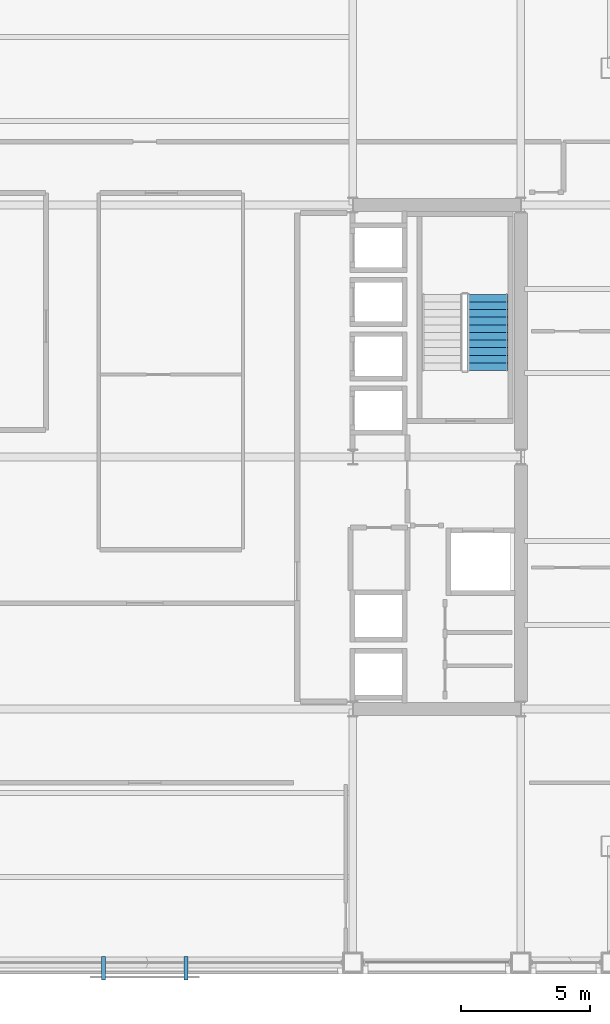
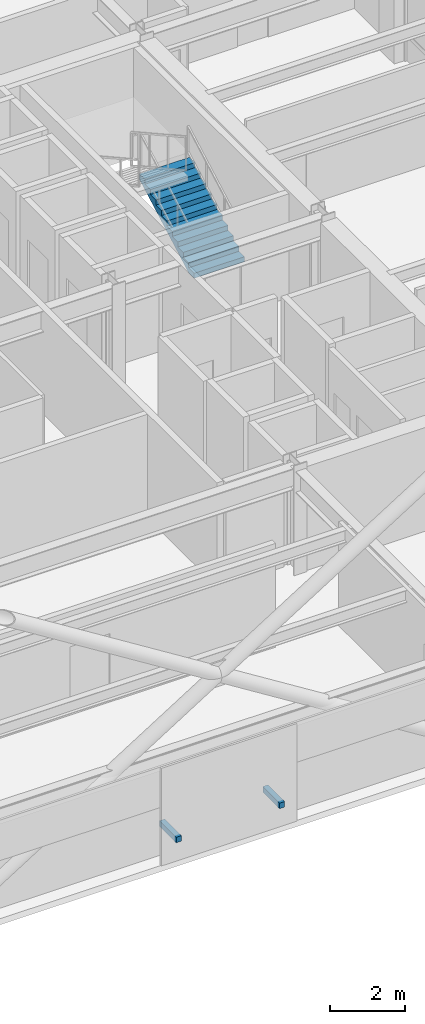
# One storey, part 32 of 35: 2 discrete accessories, 1 stair flight, 1 element without a shape of its own.
"""IFC4 building model written with IfcOpenShell, lengths in metres."""

import ifcopenshell
import ifcopenshell.guid

model = None  # the IFC model being written
_history = None  # IfcOwnerHistory: only IFC2X3 demands one
_inside = {}  # id of a spatial element -> (the spatial element, [elements in it])
_under = {}  # id of a project, library or spatial element -> (it, [spatial elements below it])
_declared = {}  # id of a project -> (the project, [libraries it declares])
_typed = {}  # id of a type object -> (the type object, [elements of that type])
_made_of = {}  # id of a material, layer set ... -> (it, [elements and type objects made of it])


def new_model(schema):
    """Start an empty IFC model of exactly this schema.

    Asked for "IFC4X3", IfcOpenShell would pick the latest addendum, in which some entities
    have other attributes; the version numbers below select the first issue.
    IFC2X3 requires an IfcOwnerHistory on every rooted entity: one is made here for all.
    """
    global model, _history
    if schema == "IFC4X3":
        model = ifcopenshell.file(schema_version=(4, 3, 0, 0))
    else:
        model = ifcopenshell.file(schema=schema)
    _inside.clear()
    _under.clear()
    _declared.clear()
    _typed.clear()
    _made_of.clear()
    _history = None
    if model.schema == "IFC2X3":
        org = make("IfcOrganization", Name="unknown")
        user = make(
            "IfcPersonAndOrganization",
            ThePerson=make("IfcPerson", FamilyName="unknown"),
            TheOrganization=org,
        )
        app = make(
            "IfcApplication",
            ApplicationDeveloper=org,
            Version="unknown",
            ApplicationFullName="unknown",
            ApplicationIdentifier="unknown",
        )
        _history = make(
            "IfcOwnerHistory",
            OwningUser=user,
            OwningApplication=app,
            ChangeAction="ADDED",
            CreationDate=0,
        )
    return model


def make(cls, **values):
    """One entity of the class cls with the attributes given. An attribute that is None is left unset."""
    return model.create_entity(
        cls, **{name: value for name, value in values.items() if value is not None}
    )


def rooted(cls, **values):
    """An entity with a GlobalId (a new one), such as an element, a storey or a relation."""
    return make(cls, GlobalId=ifcopenshell.guid.new(), OwnerHistory=_history, **values)


def si_unit(unit_type, name, prefix=None):
    """IfcSIUnit, for example si_unit("LENGTHUNIT", "METRE", prefix="MILLI")."""
    return make("IfcSIUnit", UnitType=unit_type, Prefix=prefix, Name=name)


def assignment(units):
    """IfcUnitAssignment: the units of a project."""
    return None if units is None else make("IfcUnitAssignment", Units=units)


def point(xyz):
    """IfcCartesianPoint."""
    return None if xyz is None else make("IfcCartesianPoint", Coordinates=xyz)


def direction(xyz):
    """IfcDirection."""
    return None if xyz is None else make("IfcDirection", DirectionRatios=xyz)


def frame(location, z_axis=None, x_axis=None):
    """IfcAxis2Placement3D, a coordinate frame: its origin and axes. An axis left out is left unset."""
    return make(
        "IfcAxis2Placement3D",
        Location=point(location),
        Axis=direction(z_axis),
        RefDirection=direction(x_axis),
    )


def frame_2d(location, x_axis=None):
    """IfcAxis2Placement2D, a coordinate frame in the plane: its origin and x axis."""
    return make(
        "IfcAxis2Placement2D", Location=point(location), RefDirection=direction(x_axis)
    )


def origin():
    """The frame at (0, 0, 0) with its axes left unset."""
    return frame((0.0, 0.0, 0.0))


def origin_2d():
    """The frame at (0, 0) in the plane with its x axis left unset."""
    return frame_2d((0.0, 0.0))


def place(relative_to, where):
    """IfcLocalPlacement: puts the frame where relative to a parent placement (None: the world)."""
    return make(
        "IfcLocalPlacement", PlacementRelTo=relative_to, RelativePlacement=where
    )


def context(
    kind, dimensions, precision=None, world=None, true_north=None, identifier=None
):
    """IfcGeometricRepresentationContext, for example the 3D "Model" context."""
    return make(
        "IfcGeometricRepresentationContext",
        ContextIdentifier=identifier,
        ContextType=kind,
        CoordinateSpaceDimension=dimensions,
        Precision=precision,
        WorldCoordinateSystem=world,
        TrueNorth=true_north,
    )


def subcontext(parent, identifier, kind, view, scale=None):
    """IfcGeometricRepresentationSubContext, for example "Body" below "Model"."""
    return make(
        "IfcGeometricRepresentationSubContext",
        ContextIdentifier=identifier,
        ContextType=kind,
        ParentContext=parent,
        TargetScale=scale,
        TargetView=view,
    )


def project(units=None, contexts=None):
    """IfcProject with its units and contexts."""
    return rooted(
        "IfcProject",
        Name="project",
        RepresentationContexts=contexts,
        UnitsInContext=assignment(units),
    )


def spatial(cls, under=None, at=None, **own):
    """A site, building, storey or space (cls), placed at a placement, below another one or the project."""
    s = rooted(cls, ObjectPlacement=at, **own)
    if under is not None:
        _under.setdefault(under.id(), (under, []))[1].append(s)
    return s


def polyline(points):
    """IfcPolyline through the points."""
    return make("IfcPolyline", Points=[point(p) for p in points])


def profile(cls, at=None, kind="AREA", **sizes):
    """A parametric profile (cls). Its sizes go by their IFC names, for example OverallWidth=200.0."""
    return make(cls, ProfileType=kind, Position=at, **sizes)


def rectangle(**sizes):
    """IfcRectangleProfileDef."""
    return profile("IfcRectangleProfileDef", **sizes)


def outline(outer, holes=None, kind="AREA"):
    """IfcArbitraryClosedProfileDef: a profile drawn as a closed curve; with holes, ...WithVoids."""
    if holes is None:
        return make("IfcArbitraryClosedProfileDef", ProfileType=kind, OuterCurve=outer)
    return make(
        "IfcArbitraryProfileDefWithVoids",
        ProfileType=kind,
        OuterCurve=outer,
        InnerCurves=holes,
    )


def extrude(swept, where, along, depth):
    """IfcExtrudedAreaSolid: the profile swept, set in the frame where, extruded along a direction by depth."""
    return make(
        "IfcExtrudedAreaSolid",
        SweptArea=swept,
        Position=where,
        ExtrudedDirection=direction(along),
        Depth=depth,
    )


def shape(context_of_items, identifier, shape_type, items):
    """IfcShapeRepresentation: the items that make up one representation, for example the "Body"."""
    return make(
        "IfcShapeRepresentation",
        ContextOfItems=context_of_items,
        RepresentationIdentifier=identifier,
        RepresentationType=shape_type,
        Items=items,
    )


def material(Name=None, Category=None):
    """IfcMaterial."""
    return make("IfcMaterial", Name=Name, Category=Category)


def made_of(thing, what):
    """Note that an element or type object is made of a material, layer set ...; save() writes the relation."""
    if what is not None:
        _made_of.setdefault(what.id(), (what, []))[1].append(thing)
    return thing


def type_object(cls, material=None, **own):
    """A type object (cls), such as IfcWallType, which elements share."""
    return made_of(rooted(cls, **own), material)


def element(
    cls,
    number,
    at=None,
    inside=None,
    cuts=None,
    type_object=None,
    material=None,
    context=None,
    identifier="Body",
    shape_type=None,
    held_by="IfcProductDefinitionShape",
    body=None,
    shapes=None,
    **own,
):
    """One element of the class cls, such as IfcWall. Its Tag is "e" and its number.

    at: its placement. inside: the storey or other place that contains it. cuts: it is an
    opening in that element (IfcRelVoidsElement). A single representation is given by context,
    identifier, shape_type and body (its items); several are given by shapes. held_by: the class
    of the entity that holds the representations. save() writes the other relations.
    """
    e = rooted(cls, Tag="e%d" % number, ObjectPlacement=at, **own)
    if body is not None:
        shapes = [shape(context, identifier, shape_type, body)]
    if shapes is not None:
        e.Representation = make(held_by, Representations=shapes)
    if inside is not None:
        _inside.setdefault(inside.id(), (inside, []))[1].append(e)
    if cuts is not None:
        rooted(
            "IfcRelVoidsElement", RelatingBuildingElement=cuts, RelatedOpeningElement=e
        )
    if type_object is not None:
        _typed.setdefault(type_object.id(), (type_object, []))[1].append(e)
    return made_of(e, material)


def aggregate(whole, parts):
    """IfcRelAggregates: a whole, such as a stair, and the parts it consists of."""
    return rooted("IfcRelAggregates", RelatingObject=whole, RelatedObjects=parts)


def save(model, path):
    """Write the relations noted so far, then the file.

    IfcRelAggregates (storeys below a building ...), IfcRelContainedInSpatialStructure (elements
    in a storey), IfcRelDefinesByType, IfcRelAssociatesMaterial and IfcRelDeclares: one each for
    every whole, place, type object, material and project.
    """
    for whole, parts in _under.values():
        aggregate(whole, parts)
    for where, things in _inside.values():
        rooted(
            "IfcRelContainedInSpatialStructure",
            RelatedElements=things,
            RelatingStructure=where,
        )
    for kind, things in _typed.values():
        rooted("IfcRelDefinesByType", RelatedObjects=things, RelatingType=kind)
    for what, things in _made_of.values():
        rooted("IfcRelAssociatesMaterial", RelatedObjects=things, RelatingMaterial=what)
    for by, libraries in _declared.values():
        rooted("IfcRelDeclares", RelatingContext=by, RelatedDefinitions=libraries)
    model.write(path)


model = new_model("IFC4")

# Units and contexts
model_context = context("Model", 3, precision=1e-05, world=origin(), true_north=direction((0.0, 1.0)))
body_context = subcontext(model_context, "Body", "Model", "MODEL_VIEW")
ifc_project = project(units=[si_unit("LENGTHUNIT", "METRE"), si_unit("AREAUNIT", "SQUARE_METRE"), si_unit("VOLUMEUNIT", "CUBIC_METRE"), si_unit("PLANEANGLEUNIT", "RADIAN"), si_unit("MASSUNIT", "GRAM", prefix="KILO")], contexts=[model_context])

# Site, building, storey
site_placement = place(None, origin())
site = spatial("IfcSite", under=ifc_project, at=site_placement, CompositionType="ELEMENT")
building_placement = place(site_placement, origin())
building = spatial("IfcBuilding", under=site, at=building_placement, Name="Brelmoor Portico Tower", CompositionType="ELEMENT")
storey_placement = place(building_placement, frame((0.0, 0.0, 131.39990234375)))
storey = spatial("IfcBuildingStorey", under=building, at=storey_placement, Name="L34", CompositionType="ELEMENT", Elevation=131.39990234375)

# Stair, stair flight
ifc_material_1 = material(Name="Concrete C40", Category="concrete")
stair_type = type_object("IfcStairType", Name="ST-CORE-E", PredefinedType="HALF_TURN_STAIR", material=ifc_material_1)
stair_placement = place(storey_placement, origin())
stair = element("IfcStair", 1, at=stair_placement, inside=storey, type_object=stair_type, Name="L34 Protected Core Exit Stair ST-E", PredefinedType="HALF_TURN_STAIR")
stair_flight_type = type_object("IfcStairFlightType", Name="SF-CORE-1850", PredefinedType="STRAIGHT", material=ifc_material_1)
stair_flight_placement = place(storey_placement, frame((13.27001953125, 3.35009765625, 0.0), z_axis=(0.0, 0.0, 1.0), x_axis=(0.0, 1.0, 0.0)))
stair_flight = element("IfcStairFlight", 2, at=stair_flight_placement, type_object=stair_flight_type, Name="ST-E flight 1", NumberOfRisers=11, NumberOfTreads=10, PredefinedType="STRAIGHT", RiserHeight=0.163636364, TreadLength=0.295, context=body_context, shape_type="SweptSolid", body=[
    extrude(outline(polyline([(0.0, 0.0), (0.0, 0.16357421875), (0.294921875, 0.16357421875), (0.294921875, 0.327392578125), (0.590087890625, 0.327392578125), (0.590087890625, 0.490966796875), (0.885009765625, 0.490966796875), (0.885009765625, 0.654541015625), (1.179931640625, 0.654541015625), (1.179931640625, 0.818115234375), (1.47509765625, 0.818115234375), (1.47509765625, 0.98193359375), (1.77001953125, 0.98193359375), (1.77001953125, 1.1455078125), (2.06494140625, 1.1455078125), (2.06494140625, 1.30908203125), (2.360107421875, 1.30908203125), (2.360107421875, 1.47265625), (2.655029296875, 1.47265625), (2.655029296875, 1.636474609375), (2.949951171875, 1.636474609375), (2.949951171875, 1.800048828125), (2.949951171875, 1.46484375), (0.30908203125, 0.0), (0.0, 0.0)])), frame((0.0, 0.780029296875, 0.0), z_axis=(0.0, -1.0, 0.0), x_axis=(1.0, 0.0, 0.0)), (0.0, 0.0, 1.0), 1.56005859375),
])
aggregate(stair, [stair_flight])

# Discrete accessories
ifc_material_2 = material(Name="Galvanised Steel Q355B", Category="steel")
discrete_accessory_type = type_object("IfcDiscreteAccessoryType", Name="DA-SCREEN-BRACKET", PredefinedType="BRACKET", material=ifc_material_2)
for number, where, z_axis, x_axis, name in (
    (3, (-1.60009765625, -19.780029296875, 0.76025390625), (0.0, 0.0, 1.0), (1.0, 0.0, 0.0), "L34 Solar Screen Bracket S1A"),
    (4, (1.60009765625, -19.780029296875, 0.76025390625), (0.0, 0.0, 1.0), (1.0, 0.0, 0.0), "L34 Solar Screen Bracket S1B"),
):
    element("IfcDiscreteAccessory", number, at=place(storey_placement, frame(where, z_axis=z_axis, x_axis=x_axis)), inside=storey, type_object=discrete_accessory_type, Name=name, PredefinedType="BRACKET", context=body_context, shape_type="SweptSolid", body=[
        extrude(rectangle(XDim=0.159912109375, YDim=0.89990234375, at=origin_2d()), origin(), (0.0, 0.0, 1.0), 0.179931640625),
    ])

save(model, "model.ifc")
